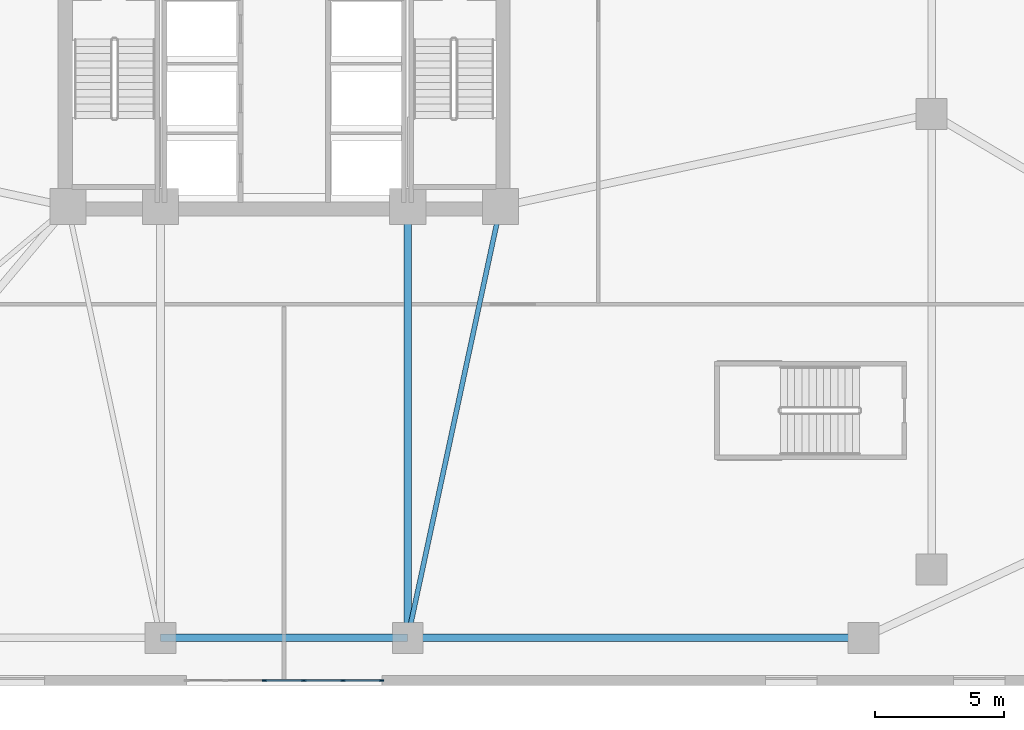
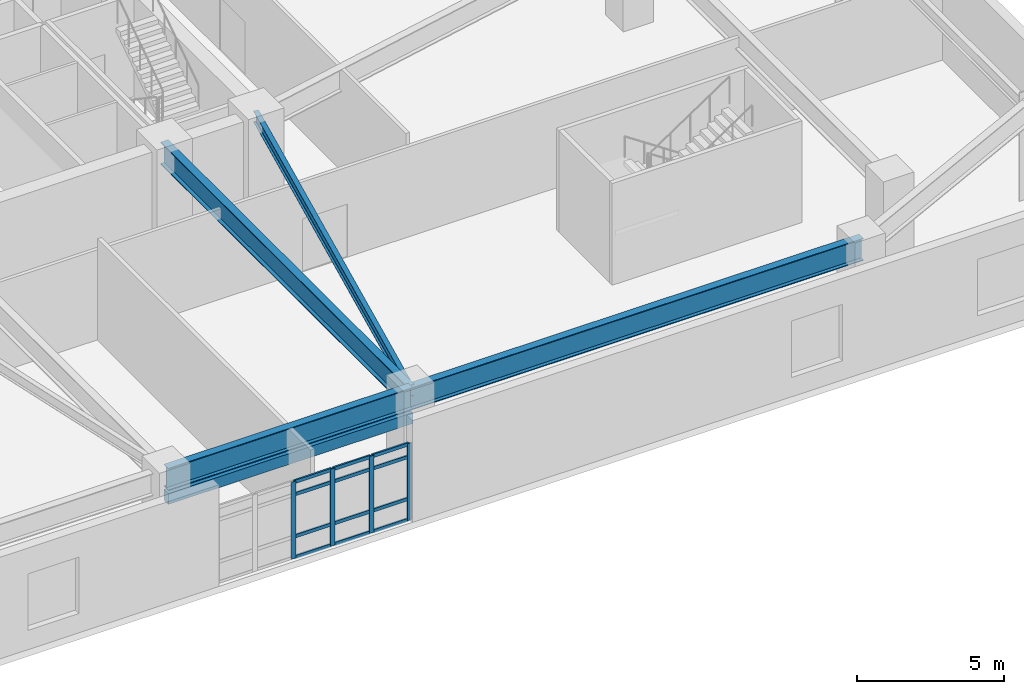
# One storey, part 5 of 21: 16 members, 5 beams, 1 element without a shape of its own.
"""IFC4 building model written with IfcOpenShell, lengths in metres."""

from ifc_helpers import new_model, si_unit, direction, frame, origin, origin_2d, place, context, subcontext, project, spatial, rectangle, i_section, extrude, material, layer, layer_set, material_profile, profile_set, type_object, element, aggregate, save


model = new_model("IFC4")

# Units and contexts
model_context = context("Model", 3, precision=1e-05, world=origin(), true_north=direction((0.0, 1.0)))
body_context = subcontext(model_context, "Body", "Model", "MODEL_VIEW")
ifc_project = project(units=[si_unit("LENGTHUNIT", "METRE"), si_unit("AREAUNIT", "SQUARE_METRE"), si_unit("VOLUMEUNIT", "CUBIC_METRE"), si_unit("PLANEANGLEUNIT", "RADIAN"), si_unit("MASSUNIT", "GRAM", prefix="KILO")], contexts=[model_context])

# Site, building, storey
site_placement = place(None, origin())
site = spatial("IfcSite", under=ifc_project, at=site_placement, CompositionType="ELEMENT")
building_placement = place(site_placement, origin())
building = spatial("IfcBuilding", under=site, at=building_placement, Name="Cairnveth Concourse Tower", CompositionType="ELEMENT")
storey_placement = place(building_placement, frame((0.0, 0.0, 10.0)))
storey = spatial("IfcBuildingStorey", under=building, at=storey_placement, Name="L02", CompositionType="ELEMENT", Elevation=10.0)

# Curtain wall, members
ifc_material_1 = material(Name="Architectural Bronze Anodised Aluminium 6063-T6", Category="aluminium")
ifc_layer = layer(ifc_material_1, 0.340087890625)
ifc_layer_set = layer_set([ifc_layer], Name="Architectural Bronze Anodised Aluminium 6063-T6")
curtain_wall_type = type_object("IfcCurtainWallType", Name="BALLROOM FOYER UNITISED CURTAIN WALL", PredefinedType="USERDEFINED", material=ifc_layer_set)
curtain_wall_placement = place(storey_placement, origin())
curtain_wall = element("IfcCurtainWall", 1, at=curtain_wall_placement, inside=storey, type_object=curtain_wall_type, Name="Curtain Wall CW-L02-S1", ObjectType="UNITISED FACADE", PredefinedType="USERDEFINED")
ifc_material_profile_1 = material_profile(ifc_material_1, rectangle(XDim=0.06494140625, YDim=0.179931640625, at=origin_2d()), Name="AL-MUL-65x180")
ifc_profile_set_1 = profile_set([ifc_material_profile_1], Name="Architectural Bronze Anodised Aluminium 6063-T6")
member_type_1 = type_object("IfcMemberType", Name="BRONZE CURTAIN WALL MULLION AL-MUL-65x180", PredefinedType="MULLION", material=ifc_profile_set_1)
member_1_placement = place(storey_placement, frame((55.782470703125, 12.18994140625, 0.0), z_axis=(0.0, 0.0, 1.0), x_axis=(0.0, -1.0, 0.0)))
member_1 = element("IfcMember", 2, at=member_1_placement, type_object=member_type_1, Name="CWS3 mullion 1", PredefinedType="MULLION", context=body_context, shape_type="SweptSolid", body=[
    extrude(rectangle(XDim=0.06494140625, YDim=0.179931640625, at=origin_2d()), origin(), (0.0, 0.0, 1.0), 3.196044921875),
])
member_2_placement = place(storey_placement, frame((54.2890625, 12.18994140625, 0.0), z_axis=(0.0, 0.0, 1.0), x_axis=(0.0, -1.0, 0.0)))
member_2 = element("IfcMember", 3, at=member_2_placement, type_object=member_type_1, Name="CWS3 mullion 2", PredefinedType="MULLION", context=body_context, shape_type="SweptSolid", body=[
    extrude(rectangle(XDim=0.06494140625, YDim=0.179931640625, at=origin_2d()), origin(), (0.0, 0.0, 1.0), 3.196044921875),
])
member_3_placement = place(storey_placement, frame((52.762939453125, 12.18994140625, 0.0), z_axis=(0.0, 0.0, 1.0), x_axis=(0.0, -1.0, 0.0)))
member_3 = element("IfcMember", 4, at=member_3_placement, type_object=member_type_1, Name="CWS3 mullion 3", PredefinedType="MULLION", context=body_context, shape_type="SweptSolid", body=[
    extrude(rectangle(XDim=0.06494140625, YDim=0.179931640625, at=origin_2d()), origin(), (0.0, 0.0, 1.0), 3.196044921875),
])
member_4_placement = place(storey_placement, frame((51.237060546875, 12.18994140625, 0.0), z_axis=(0.0, 0.0, 1.0), x_axis=(0.0, -1.0, 0.0)))
member_4 = element("IfcMember", 5, at=member_4_placement, type_object=member_type_1, Name="CWS3 mullion 4", PredefinedType="MULLION", context=body_context, shape_type="SweptSolid", body=[
    extrude(rectangle(XDim=0.06494140625, YDim=0.179931640625, at=origin_2d()), origin(), (0.0, 0.0, 1.0), 3.196044921875),
])
ifc_material_profile_2 = material_profile(ifc_material_1, rectangle(XDim=0.06494140625, YDim=0.139892578125, at=origin_2d()), Name="AL-TRN-65x140")
ifc_profile_set_2 = profile_set([ifc_material_profile_2], Name="Architectural Bronze Anodised Aluminium 6063-T6")
member_type_2 = type_object("IfcMemberType", Name="BRONZE CURTAIN WALL TRANSOM AL-TRN-65x140", PredefinedType="USERDEFINED", material=ifc_profile_set_2)
member_5_placement = place(storey_placement, frame((55.75, 12.18994140625, 0.032470703125), z_axis=(-1.0, 0.0, 0.0), x_axis=(0.0, -1.0, 0.0)))
member_5 = element("IfcMember", 6, at=member_5_placement, type_object=member_type_2, Name="CWS3 transom 1.1", ObjectType="TRANSOM", PredefinedType="USERDEFINED", context=body_context, shape_type="SweptSolid", body=[
    extrude(rectangle(XDim=0.06494140625, YDim=0.139892578125, at=origin_2d()), origin(), (0.0, 0.0, 1.0), 1.428466796875),
])
member_6_placement = place(storey_placement, frame((55.75, 12.18994140625, 0.89990234375), z_axis=(-1.0, 0.0, 0.0), x_axis=(0.0, -1.0, 0.0)))
member_6 = element("IfcMember", 7, at=member_6_placement, type_object=member_type_2, Name="CWS3 transom 1.2", ObjectType="TRANSOM", PredefinedType="USERDEFINED", context=body_context, shape_type="SweptSolid", body=[
    extrude(rectangle(XDim=0.06494140625, YDim=0.139892578125, at=origin_2d()), origin(), (0.0, 0.0, 1.0), 1.428466796875),
])
member_7_placement = place(storey_placement, frame((55.75, 12.18994140625, 2.64599609375), z_axis=(-1.0, 0.0, 0.0), x_axis=(0.0, -1.0, 0.0)))
member_7 = element("IfcMember", 8, at=member_7_placement, type_object=member_type_2, Name="CWS3 transom 1.3", ObjectType="TRANSOM", PredefinedType="USERDEFINED", context=body_context, shape_type="SweptSolid", body=[
    extrude(rectangle(XDim=0.06494140625, YDim=0.139892578125, at=origin_2d()), origin(), (0.0, 0.0, 1.0), 1.428466796875),
])
member_8_placement = place(storey_placement, frame((55.75, 12.18994140625, 3.16357421875), z_axis=(-1.0, 0.0, 0.0), x_axis=(0.0, -1.0, 0.0)))
member_8 = element("IfcMember", 9, at=member_8_placement, type_object=member_type_2, Name="CWS3 transom 1.4", ObjectType="TRANSOM", PredefinedType="USERDEFINED", context=body_context, shape_type="SweptSolid", body=[
    extrude(rectangle(XDim=0.06494140625, YDim=0.139892578125, at=origin_2d()), origin(), (0.0, 0.0, 1.0), 1.428466796875),
])
member_9_placement = place(storey_placement, frame((54.256591796875, 12.18994140625, 0.032470703125), z_axis=(-1.0, 0.0, 0.0), x_axis=(0.0, -1.0, 0.0)))
member_9 = element("IfcMember", 10, at=member_9_placement, type_object=member_type_2, Name="CWS3 transom 2.1", ObjectType="TRANSOM", PredefinedType="USERDEFINED", context=body_context, shape_type="SweptSolid", body=[
    extrude(rectangle(XDim=0.06494140625, YDim=0.139892578125, at=origin_2d()), origin(), (0.0, 0.0, 1.0), 1.461181640625),
])
member_10_placement = place(storey_placement, frame((54.256591796875, 12.18994140625, 0.89990234375), z_axis=(-1.0, 0.0, 0.0), x_axis=(0.0, -1.0, 0.0)))
member_10 = element("IfcMember", 11, at=member_10_placement, type_object=member_type_2, Name="CWS3 transom 2.2", ObjectType="TRANSOM", PredefinedType="USERDEFINED", context=body_context, shape_type="SweptSolid", body=[
    extrude(rectangle(XDim=0.06494140625, YDim=0.139892578125, at=origin_2d()), origin(), (0.0, 0.0, 1.0), 1.461181640625),
])
member_11_placement = place(storey_placement, frame((54.256591796875, 12.18994140625, 2.64599609375), z_axis=(-1.0, 0.0, 0.0), x_axis=(0.0, -1.0, 0.0)))
member_11 = element("IfcMember", 12, at=member_11_placement, type_object=member_type_2, Name="CWS3 transom 2.3", ObjectType="TRANSOM", PredefinedType="USERDEFINED", context=body_context, shape_type="SweptSolid", body=[
    extrude(rectangle(XDim=0.06494140625, YDim=0.139892578125, at=origin_2d()), origin(), (0.0, 0.0, 1.0), 1.461181640625),
])
member_12_placement = place(storey_placement, frame((54.256591796875, 12.18994140625, 3.16357421875), z_axis=(-1.0, 0.0, 0.0), x_axis=(0.0, -1.0, 0.0)))
member_12 = element("IfcMember", 13, at=member_12_placement, type_object=member_type_2, Name="CWS3 transom 2.4", ObjectType="TRANSOM", PredefinedType="USERDEFINED", context=body_context, shape_type="SweptSolid", body=[
    extrude(rectangle(XDim=0.06494140625, YDim=0.139892578125, at=origin_2d()), origin(), (0.0, 0.0, 1.0), 1.461181640625),
])
member_13_placement = place(storey_placement, frame((52.73046875, 12.18994140625, 0.032470703125), z_axis=(-1.0, 0.0, 0.0), x_axis=(0.0, -1.0, 0.0)))
member_13 = element("IfcMember", 14, at=member_13_placement, type_object=member_type_2, Name="CWS3 transom 3.1", ObjectType="TRANSOM", PredefinedType="USERDEFINED", context=body_context, shape_type="SweptSolid", body=[
    extrude(rectangle(XDim=0.06494140625, YDim=0.139892578125, at=origin_2d()), origin(), (0.0, 0.0, 1.0), 1.4609375),
])
member_14_placement = place(storey_placement, frame((52.73046875, 12.18994140625, 0.89990234375), z_axis=(-1.0, 0.0, 0.0), x_axis=(0.0, -1.0, 0.0)))
member_14 = element("IfcMember", 15, at=member_14_placement, type_object=member_type_2, Name="CWS3 transom 3.2", ObjectType="TRANSOM", PredefinedType="USERDEFINED", context=body_context, shape_type="SweptSolid", body=[
    extrude(rectangle(XDim=0.06494140625, YDim=0.139892578125, at=origin_2d()), origin(), (0.0, 0.0, 1.0), 1.4609375),
])
member_15_placement = place(storey_placement, frame((52.73046875, 12.18994140625, 2.64599609375), z_axis=(-1.0, 0.0, 0.0), x_axis=(0.0, -1.0, 0.0)))
member_15 = element("IfcMember", 16, at=member_15_placement, type_object=member_type_2, Name="CWS3 transom 3.3", ObjectType="TRANSOM", PredefinedType="USERDEFINED", context=body_context, shape_type="SweptSolid", body=[
    extrude(rectangle(XDim=0.06494140625, YDim=0.139892578125, at=origin_2d()), origin(), (0.0, 0.0, 1.0), 1.4609375),
])
member_16_placement = place(storey_placement, frame((52.73046875, 12.18994140625, 3.16357421875), z_axis=(-1.0, 0.0, 0.0), x_axis=(0.0, -1.0, 0.0)))
member_16 = element("IfcMember", 17, at=member_16_placement, type_object=member_type_2, Name="CWS3 transom 3.4", ObjectType="TRANSOM", PredefinedType="USERDEFINED", context=body_context, shape_type="SweptSolid", body=[
    extrude(rectangle(XDim=0.06494140625, YDim=0.139892578125, at=origin_2d()), origin(), (0.0, 0.0, 1.0), 1.4609375),
])
aggregate(curtain_wall, [member_1, member_2, member_3, member_4, member_5, member_6, member_7, member_8, member_9, member_10, member_11, member_12, member_13, member_14, member_15, member_16])

# Beams
ifc_material_2 = material(Name="Precast concrete N50 (50 MPa)", Category="concrete")
ifc_material_profile_3 = material_profile(ifc_material_2, rectangle(XDim=0.300048828125, YDim=0.449951171875, at=origin_2d()), Name="RC-LNT-300x450")
ifc_profile_set_3 = profile_set([ifc_material_profile_3], Name="Precast concrete N50 (50 MPa)")
beam_type_1 = type_object("IfcBeamType", Name="CONCOURSE MASONRY LINTEL 300X450", PredefinedType="LINTEL", material=ifc_profile_set_3)
beam_1_placement = place(storey_placement, frame((47.199951171875, 13.85009765625, 2.949951171875), z_axis=(1.0, 0.0, 0.0), x_axis=(0.0, 1.0, 0.0)))
element("IfcBeam", 18, at=beam_1_placement, inside=storey, type_object=beam_type_1, Name="Concourse Portal Lintel 1 L02", PredefinedType="LINTEL", context=body_context, shape_type="SweptSolid", body=[
    extrude(rectangle(XDim=0.300048828125, YDim=0.449951171875, at=origin_2d()), origin(), (0.0, 0.0, 1.0), 9.60009765625),
])
ifc_material_3 = material(Name="Steel Grade 350", Category="steel")
ifc_material_profile_4 = material_profile(ifc_material_3, i_section(OverallWidth=0.18994140625, OverallDepth=0.45703125, WebThickness=0.009033203125, FlangeThickness=0.014404296875, FilletRadius=0.010986328125, at=origin_2d()), Name="460UB74.6")
ifc_profile_set_4 = profile_set([ifc_material_profile_4], Name="Steel Grade 350")
beam_type_2 = type_object("IfcBeamType", Name="PODIUM FLOOR JOIST 460UB74.6", PredefinedType="JOIST", material=ifc_profile_set_4)
beam_2_placement = place(storey_placement, frame((60.39990234375, 30.60009765625, 3.991455078125), z_axis=(-0.210118799239, -0.977675861524, 0.0), x_axis=(0.977675861524, -0.210118799239, 0.0)))
element("IfcBeam", 19, at=beam_2_placement, inside=storey, type_object=beam_type_2, Name="Beam PJ-S-X2 L02", PredefinedType="JOIST", context=body_context, shape_type="SweptSolid", body=[
    extrude(i_section(OverallWidth=0.18994140625, OverallDepth=0.45703125, WebThickness=0.009033203125, FlangeThickness=0.014404296875, FilletRadius=0.010986328125, at=origin_2d()), origin(), (0.0, 0.0, 1.0), 17.132568359375),
])
ifc_material_profile_5 = material_profile(ifc_material_3, i_section(OverallWidth=0.300048828125, OverallDepth=0.924072265625, WebThickness=0.013916015625, FlangeThickness=0.031982421875, at=origin_2d()), Name="900WB257")
ifc_profile_set_5 = profile_set([ifc_material_profile_5], Name="Steel Grade 350")
beam_type_3 = type_object("IfcBeamType", Name="PODIUM PRIMARY GIRDER 900WB257", PredefinedType="BEAM", material=ifc_profile_set_5)
beam_3_placement = place(storey_placement, frame((56.800048828125, 13.85009765625, 3.758056640625), z_axis=(0.0, 1.0, 0.0), x_axis=(-1.0, 0.0, 0.0)))
element("IfcBeam", 20, at=beam_3_placement, inside=storey, type_object=beam_type_3, Name="Beam PG-S2 L02", PredefinedType="BEAM", context=body_context, shape_type="SweptSolid", body=[
    extrude(i_section(OverallWidth=0.300048828125, OverallDepth=0.924072265625, WebThickness=0.013916015625, FlangeThickness=0.031982421875, at=origin_2d()), origin(), (0.0, 0.0, 1.0), 16.75),
])
beam_4_placement = place(storey_placement, frame((47.199951171875, 13.85009765625, 3.758056640625), z_axis=(1.0, 0.0, 0.0), x_axis=(0.0, 1.0, 0.0)))
element("IfcBeam", 21, at=beam_4_placement, inside=storey, type_object=beam_type_3, Name="Beam PR-S2 L02", PredefinedType="BEAM", context=body_context, shape_type="SweptSolid", body=[
    extrude(i_section(OverallWidth=0.300048828125, OverallDepth=0.924072265625, WebThickness=0.013916015625, FlangeThickness=0.031982421875, at=origin_2d()), origin(), (0.0, 0.0, 1.0), 9.60009765625),
])
beam_5_placement = place(storey_placement, frame((56.800048828125, 13.85009765625, 3.758056640625), z_axis=(1.0, 0.0, 0.0), x_axis=(0.0, 1.0, 0.0)))
element("IfcBeam", 22, at=beam_5_placement, inside=storey, type_object=beam_type_3, Name="Beam PR-S3 L02", PredefinedType="BEAM", context=body_context, shape_type="SweptSolid", body=[
    extrude(i_section(OverallWidth=0.300048828125, OverallDepth=0.924072265625, WebThickness=0.013916015625, FlangeThickness=0.031982421875, at=origin_2d()), origin(), (0.0, 0.0, 1.0), 17.699951171875),
])

save(model, "model.ifc")
